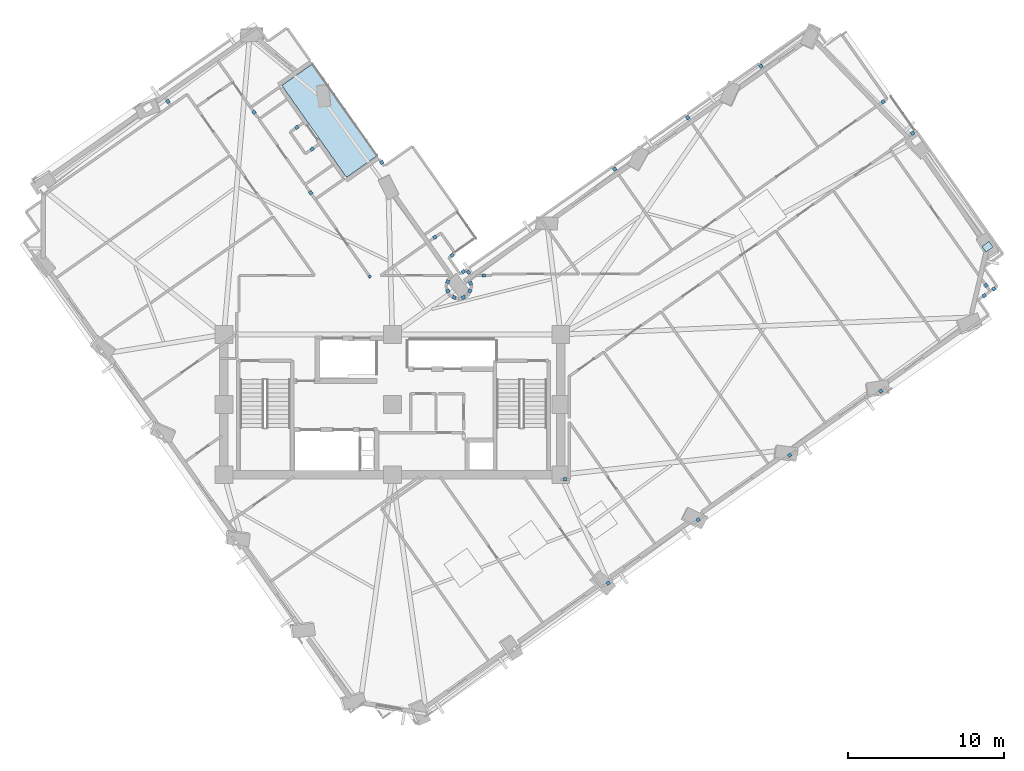
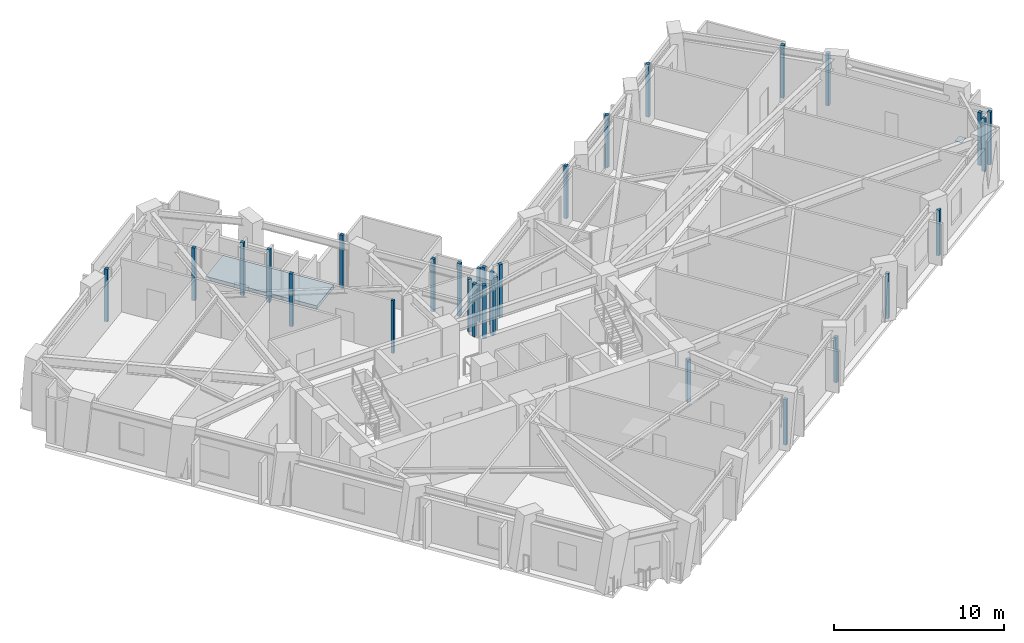
# One storey, part 3 of 13: 32 plates, 1 slab.
"""IFC4 building model written with IfcOpenShell, lengths in metres."""

import ifcopenshell
import ifcopenshell.guid

model = None  # the IFC model being written
_history = None  # IfcOwnerHistory: only IFC2X3 demands one
_inside = {}  # id of a spatial element -> (the spatial element, [elements in it])
_under = {}  # id of a project, library or spatial element -> (it, [spatial elements below it])
_declared = {}  # id of a project -> (the project, [libraries it declares])
_typed = {}  # id of a type object -> (the type object, [elements of that type])
_made_of = {}  # id of a material, layer set ... -> (it, [elements and type objects made of it])


def new_model(schema):
    """Start an empty IFC model of exactly this schema.

    Asked for "IFC4X3", IfcOpenShell would pick the latest addendum, in which some entities
    have other attributes; the version numbers below select the first issue.
    IFC2X3 requires an IfcOwnerHistory on every rooted entity: one is made here for all.
    """
    global model, _history
    if schema == "IFC4X3":
        model = ifcopenshell.file(schema_version=(4, 3, 0, 0))
    else:
        model = ifcopenshell.file(schema=schema)
    _inside.clear()
    _under.clear()
    _declared.clear()
    _typed.clear()
    _made_of.clear()
    _history = None
    if model.schema == "IFC2X3":
        org = make("IfcOrganization", Name="unknown")
        user = make(
            "IfcPersonAndOrganization",
            ThePerson=make("IfcPerson", FamilyName="unknown"),
            TheOrganization=org,
        )
        app = make(
            "IfcApplication",
            ApplicationDeveloper=org,
            Version="unknown",
            ApplicationFullName="unknown",
            ApplicationIdentifier="unknown",
        )
        _history = make(
            "IfcOwnerHistory",
            OwningUser=user,
            OwningApplication=app,
            ChangeAction="ADDED",
            CreationDate=0,
        )
    return model


def make(cls, **values):
    """One entity of the class cls with the attributes given. An attribute that is None is left unset."""
    return model.create_entity(
        cls, **{name: value for name, value in values.items() if value is not None}
    )


def rooted(cls, **values):
    """An entity with a GlobalId (a new one), such as an element, a storey or a relation."""
    return make(cls, GlobalId=ifcopenshell.guid.new(), OwnerHistory=_history, **values)


def si_unit(unit_type, name, prefix=None):
    """IfcSIUnit, for example si_unit("LENGTHUNIT", "METRE", prefix="MILLI")."""
    return make("IfcSIUnit", UnitType=unit_type, Prefix=prefix, Name=name)


def assignment(units):
    """IfcUnitAssignment: the units of a project."""
    return None if units is None else make("IfcUnitAssignment", Units=units)


def point(xyz):
    """IfcCartesianPoint."""
    return None if xyz is None else make("IfcCartesianPoint", Coordinates=xyz)


def direction(xyz):
    """IfcDirection."""
    return None if xyz is None else make("IfcDirection", DirectionRatios=xyz)


def frame(location, z_axis=None, x_axis=None):
    """IfcAxis2Placement3D, a coordinate frame: its origin and axes. An axis left out is left unset."""
    return make(
        "IfcAxis2Placement3D",
        Location=point(location),
        Axis=direction(z_axis),
        RefDirection=direction(x_axis),
    )


def frame_2d(location, x_axis=None):
    """IfcAxis2Placement2D, a coordinate frame in the plane: its origin and x axis."""
    return make(
        "IfcAxis2Placement2D", Location=point(location), RefDirection=direction(x_axis)
    )


def origin():
    """The frame at (0, 0, 0) with its axes left unset."""
    return frame((0.0, 0.0, 0.0))


def origin_2d():
    """The frame at (0, 0) in the plane with its x axis left unset."""
    return frame_2d((0.0, 0.0))


def place(relative_to, where):
    """IfcLocalPlacement: puts the frame where relative to a parent placement (None: the world)."""
    return make(
        "IfcLocalPlacement", PlacementRelTo=relative_to, RelativePlacement=where
    )


def context(
    kind, dimensions, precision=None, world=None, true_north=None, identifier=None
):
    """IfcGeometricRepresentationContext, for example the 3D "Model" context."""
    return make(
        "IfcGeometricRepresentationContext",
        ContextIdentifier=identifier,
        ContextType=kind,
        CoordinateSpaceDimension=dimensions,
        Precision=precision,
        WorldCoordinateSystem=world,
        TrueNorth=true_north,
    )


def subcontext(parent, identifier, kind, view, scale=None):
    """IfcGeometricRepresentationSubContext, for example "Body" below "Model"."""
    return make(
        "IfcGeometricRepresentationSubContext",
        ContextIdentifier=identifier,
        ContextType=kind,
        ParentContext=parent,
        TargetScale=scale,
        TargetView=view,
    )


def project(units=None, contexts=None):
    """IfcProject with its units and contexts."""
    return rooted(
        "IfcProject",
        Name="project",
        RepresentationContexts=contexts,
        UnitsInContext=assignment(units),
    )


def spatial(cls, under=None, at=None, **own):
    """A site, building, storey or space (cls), placed at a placement, below another one or the project."""
    s = rooted(cls, ObjectPlacement=at, **own)
    if under is not None:
        _under.setdefault(under.id(), (under, []))[1].append(s)
    return s


def polyline(points):
    """IfcPolyline through the points."""
    return make("IfcPolyline", Points=[point(p) for p in points])


def profile(cls, at=None, kind="AREA", **sizes):
    """A parametric profile (cls). Its sizes go by their IFC names, for example OverallWidth=200.0."""
    return make(cls, ProfileType=kind, Position=at, **sizes)


def rectangle(**sizes):
    """IfcRectangleProfileDef."""
    return profile("IfcRectangleProfileDef", **sizes)


def outline(outer, holes=None, kind="AREA"):
    """IfcArbitraryClosedProfileDef: a profile drawn as a closed curve; with holes, ...WithVoids."""
    if holes is None:
        return make("IfcArbitraryClosedProfileDef", ProfileType=kind, OuterCurve=outer)
    return make(
        "IfcArbitraryProfileDefWithVoids",
        ProfileType=kind,
        OuterCurve=outer,
        InnerCurves=holes,
    )


def extrude(swept, where, along, depth):
    """IfcExtrudedAreaSolid: the profile swept, set in the frame where, extruded along a direction by depth."""
    return make(
        "IfcExtrudedAreaSolid",
        SweptArea=swept,
        Position=where,
        ExtrudedDirection=direction(along),
        Depth=depth,
    )


def shape(context_of_items, identifier, shape_type, items):
    """IfcShapeRepresentation: the items that make up one representation, for example the "Body"."""
    return make(
        "IfcShapeRepresentation",
        ContextOfItems=context_of_items,
        RepresentationIdentifier=identifier,
        RepresentationType=shape_type,
        Items=items,
    )


def material(Name=None, Category=None):
    """IfcMaterial."""
    return make("IfcMaterial", Name=Name, Category=Category)


def layer(
    of_material, thickness, ventilated=None, Name=None, Category=None, Priority=None
):
    """IfcMaterialLayer: one layer of a wall or slab, of a material (None: an air gap)."""
    return make(
        "IfcMaterialLayer",
        Material=of_material,
        LayerThickness=thickness,
        IsVentilated=ventilated,
        Name=Name,
        Category=Category,
        Priority=Priority,
    )


def layer_set(layers, Name=None):
    """IfcMaterialLayerSet."""
    return make("IfcMaterialLayerSet", MaterialLayers=layers, LayerSetName=Name)


def made_of(thing, what):
    """Note that an element or type object is made of a material, layer set ...; save() writes the relation."""
    if what is not None:
        _made_of.setdefault(what.id(), (what, []))[1].append(thing)
    return thing


def type_object(cls, material=None, **own):
    """A type object (cls), such as IfcWallType, which elements share."""
    return made_of(rooted(cls, **own), material)


def element(
    cls,
    number,
    at=None,
    inside=None,
    cuts=None,
    type_object=None,
    material=None,
    context=None,
    identifier="Body",
    shape_type=None,
    held_by="IfcProductDefinitionShape",
    body=None,
    shapes=None,
    **own,
):
    """One element of the class cls, such as IfcWall. Its Tag is "e" and its number.

    at: its placement. inside: the storey or other place that contains it. cuts: it is an
    opening in that element (IfcRelVoidsElement). A single representation is given by context,
    identifier, shape_type and body (its items); several are given by shapes. held_by: the class
    of the entity that holds the representations. save() writes the other relations.
    """
    e = rooted(cls, Tag="e%d" % number, ObjectPlacement=at, **own)
    if body is not None:
        shapes = [shape(context, identifier, shape_type, body)]
    if shapes is not None:
        e.Representation = make(held_by, Representations=shapes)
    if inside is not None:
        _inside.setdefault(inside.id(), (inside, []))[1].append(e)
    if cuts is not None:
        rooted(
            "IfcRelVoidsElement", RelatingBuildingElement=cuts, RelatedOpeningElement=e
        )
    if type_object is not None:
        _typed.setdefault(type_object.id(), (type_object, []))[1].append(e)
    return made_of(e, material)


def aggregate(whole, parts):
    """IfcRelAggregates: a whole, such as a stair, and the parts it consists of."""
    return rooted("IfcRelAggregates", RelatingObject=whole, RelatedObjects=parts)


def save(model, path):
    """Write the relations noted so far, then the file.

    IfcRelAggregates (storeys below a building ...), IfcRelContainedInSpatialStructure (elements
    in a storey), IfcRelDefinesByType, IfcRelAssociatesMaterial and IfcRelDeclares: one each for
    every whole, place, type object, material and project.
    """
    for whole, parts in _under.values():
        aggregate(whole, parts)
    for where, things in _inside.values():
        rooted(
            "IfcRelContainedInSpatialStructure",
            RelatedElements=things,
            RelatingStructure=where,
        )
    for kind, things in _typed.values():
        rooted("IfcRelDefinesByType", RelatedObjects=things, RelatingType=kind)
    for what, things in _made_of.values():
        rooted("IfcRelAssociatesMaterial", RelatedObjects=things, RelatingMaterial=what)
    for by, libraries in _declared.values():
        rooted("IfcRelDeclares", RelatingContext=by, RelatedDefinitions=libraries)
    model.write(path)


model = new_model("IFC4")

# Units and contexts
model_context = context("Model", 3, precision=1e-05, world=origin(), true_north=direction((0.0, 1.0)))
body_context = subcontext(model_context, "Body", "Model", "MODEL_VIEW")
ifc_project = project(units=[si_unit("LENGTHUNIT", "METRE"), si_unit("AREAUNIT", "SQUARE_METRE"), si_unit("VOLUMEUNIT", "CUBIC_METRE"), si_unit("PLANEANGLEUNIT", "RADIAN"), si_unit("MASSUNIT", "GRAM", prefix="KILO")], contexts=[model_context])

# Site, building, storey
site_placement = place(None, origin())
site = spatial("IfcSite", under=ifc_project, at=site_placement, CompositionType="ELEMENT")
building_placement = place(site_placement, origin())
building = spatial("IfcBuilding", under=site, at=building_placement, Name="Gaonmaruhae Medical Tower", CompositionType="ELEMENT")
storey_placement = place(building_placement, frame((0.0, 0.0, 173.800048828125)))
storey = spatial("IfcBuildingStorey", under=building, at=storey_placement, Name="L41", CompositionType="ELEMENT", Elevation=173.800048828125)

# Plates
ifc_material_1 = material(Name="Steel HSA650 (650 MPa)", Category="steel")
ifc_layer_1 = layer(ifc_material_1, 0.028076171875)
ifc_layer_set_1 = layer_set([ifc_layer_1], Name="Steel HSA650 (650 MPa)")
plate_type_1 = type_object("IfcPlateType", Name="GP-02 Tube Brace End Cap Gusset Plate", PredefinedType="USERDEFINED", material=ifc_layer_set_1)
plate_1_placement = place(storey_placement, frame((62.971923828125, 22.427490234375, 0.23583984375), z_axis=(0.0, 0.0, 1.0), x_axis=(0.817647619217, 0.575719003324, 0.0)))
element("IfcPlate", 1, at=plate_1_placement, inside=storey, type_object=plate_type_1, Name="L41 Gusset Cap Plate PLT-L41-PBR-E01A", ObjectType="GUSSET_PLATE", PredefinedType="USERDEFINED", context=body_context, shape_type="SweptSolid", body=[
    extrude(rectangle(XDim=0.56005859375, YDim=0.43994140625, at=origin_2d()), origin(), (0.0, 0.0, 1.0), 0.028076171875),
])
ifc_material_2 = material(Name="Anodised aluminium 6063-T6", Category="aluminium")
ifc_layer_2 = layer(ifc_material_2, 0.011962890625)
ifc_layer_set_2 = layer_set([ifc_layer_2], Name="Anodised aluminium 6063-T6")
plate_type_2 = type_object("IfcPlateType", Name="PP-01 Interior Partition Corner Stiffener Plate", PredefinedType="SHEET", material=ifc_layer_set_2)
plate_2_placement = place(storey_placement, frame((23.34814453125, 20.5146484375, 0.0), z_axis=(0.0, 0.0, 1.0), x_axis=(-0.575776084493, 0.817607424456, 0.0)))
element("IfcPlate", 2, at=plate_2_placement, inside=storey, type_object=plate_type_2, Name="L41 Partition End Jamb Post Plate PLT-L41-ENDP-PW097-0", PredefinedType="SHEET", context=body_context, shape_type="SweptSolid", body=[
    extrude(rectangle(XDim=0.179931640625, YDim=0.179931640625, at=origin_2d()), origin(), (0.0, 0.0, 1.0), 3.780029296875),
])
plate_3_placement = place(storey_placement, frame((38.6416015625, 0.85595703125, 0.0), z_axis=(0.0, 0.0, 1.0), x_axis=(-0.817627522335, -0.575747544259, 0.0)))
element("IfcPlate", 3, at=plate_3_placement, inside=storey, type_object=plate_type_2, Name="L41 Partition Corner Stiffener Plate PLT-L41-JGP-PW014", PredefinedType="SHEET", context=body_context, shape_type="SweptSolid", body=[
    extrude(rectangle(XDim=0.219970703125, YDim=0.219970703125, at=origin_2d()), origin(), (0.0, 0.0, 1.0), 3.264892578125),
])
plate_4_placement = place(storey_placement, frame((35.875, 7.5, 0.0), z_axis=(0.0, 0.0, 1.0), x_axis=(1.0, 0.0, 0.0)))
element("IfcPlate", 4, at=plate_4_placement, inside=storey, type_object=plate_type_2, Name="L41 Partition Corner Stiffener Plate PLT-L41-JGP-PW015", PredefinedType="SHEET", context=body_context, shape_type="SweptSolid", body=[
    extrude(rectangle(XDim=0.219970703125, YDim=0.219970703125, at=origin_2d()), origin(), (0.0, 0.0, 1.0), 3.06494140625),
])
for number, where, z_axis, x_axis, name in (
    (5, (44.403564453125, 4.91357421875, 0.0), (0.0, 0.0, 1.0), (-0.817667715103, -0.575690461687, 0.0), "L41 Partition Corner Stiffener Plate PLT-L41-JGP-PW018"),
    (6, (50.29052734375, 9.05859375, 0.0), (0.0, 0.0, 1.0), (-0.817948952887, -0.575290805133, 0.0), "L41 Partition Corner Stiffener Plate PLT-L41-JGP-PW025"),
    (7, (56.12353515625, 13.16650390625, 0.0), (0.0, 0.0, 1.0), (-0.817727996784, -0.575604832568, 0.0), "L41 Partition Corner Stiffener Plate PLT-L41-JGP-PW028"),
):
    element("IfcPlate", number, at=place(storey_placement, frame(where, z_axis=z_axis, x_axis=x_axis)), inside=storey, type_object=plate_type_2, Name=name, PredefinedType="SHEET", context=body_context, shape_type="SweptSolid", body=[
        extrude(rectangle(XDim=0.219970703125, YDim=0.219970703125, at=origin_2d()), origin(), (0.0, 0.0, 1.0), 3.264892578125),
    ])
for number, where, z_axis, x_axis, name in (
    (8, (62.87109375, 19.948486328125, 0.0), (0.0, 0.0, 1.0), (0.575619104526, -0.81771795046, 0.0), "L41 Partition Corner Stiffener Plate PLT-L41-JGP-PW034"),
    (9, (62.763427734375, 19.284423828125, 0.0), (0.0, 0.0, 1.0), (-0.817878661752, -0.575390732156, 0.0), "L41 Partition Corner Stiffener Plate PLT-L41-JGP-PW035"),
    (10, (29.35498046875, 20.8330078125, 0.0), (0.0, 0.0, 1.0), (0.817305836741, 0.576204103794, 0.0), "L41 Partition Corner Stiffener Plate PLT-L41-JGP-PW059"),
    (11, (29.680419921875, 20.7958984375, 0.0), (0.0, 0.0, 1.0), (0.576232632799, -0.817285722926, 0.0), "L41 Partition Corner Stiffener Plate PLT-L41-JGP-PW060"),
    (12, (29.81396484375, 20.08642578125, 0.0), (0.0, 0.0, 1.0), (0.381796395501, -0.924246456516, 0.0), "L41 Partition Corner Stiffener Plate PLT-L41-JGP-PW061"),
    (13, (29.77392578125, 19.593017578125, 0.0), (0.0, 0.0, 1.0), (-0.382167381036, -0.924093119157, 0.0), "L41 Partition Corner Stiffener Plate PLT-L41-JGP-PW062"),
):
    element("IfcPlate", number, at=place(storey_placement, frame(where, z_axis=z_axis, x_axis=x_axis)), inside=storey, type_object=plate_type_2, Name=name, PredefinedType="SHEET", context=body_context, shape_type="SweptSolid", body=[
        extrude(rectangle(XDim=0.219970703125, YDim=0.219970703125, at=origin_2d()), origin(), (0.0, 0.0, 1.0), 3.780029296875),
    ])
plate_5_placement = place(storey_placement, frame((29.35693359375, 19.176025390625, 0.0), z_axis=(0.0, 0.0, 1.0), x_axis=(-0.924093119157, -0.382167381036, 0.0)))
element("IfcPlate", 14, at=plate_5_placement, inside=storey, type_object=plate_type_2, Name="L41 Partition Corner Stiffener Plate PLT-L41-JGP-PW063", PredefinedType="SHEET", context=body_context, shape_type="SweptSolid", body=[
    extrude(rectangle(XDim=0.219970703125, YDim=0.219970703125, at=origin_2d()), origin(), (0.0, 0.0, 1.0), 3.4150390625),
])
for number, where, z_axis, x_axis, name in (
    (15, (28.767578125, 19.176025390625, 0.0), (0.0, 0.0, 1.0), (-0.923866173777, 0.382715681611, 0.0), "L41 Partition Corner Stiffener Plate PLT-L41-JGP-PW064"),
    (16, (28.35107421875, 19.593017578125, 0.0), (0.0, 0.0, 1.0), (-0.382167381036, 0.924093119157, 0.0), "L41 Partition Corner Stiffener Plate PLT-L41-JGP-PW065"),
    (17, (28.35107421875, 20.1826171875, 0.0), (0.0, 0.0, 1.0), (0.382715681611, 0.923866173777, 0.0), "L41 Partition Corner Stiffener Plate PLT-L41-JGP-PW066"),
    (18, (27.53662109375, 23.03759765625, 0.0), (0.0, 0.0, 1.0), (0.817657667285, 0.575704732593, 0.0), "L41 Partition Corner Stiffener Plate PLT-L41-JGP-PW069"),
    (19, (28.62890625, 21.864013671875, 0.0), (0.0, 0.0, 1.0), (-0.817305836741, -0.576204103794, 0.0), "L41 Partition Corner Stiffener Plate PLT-L41-JGP-PW071"),
    (20, (30.660400390625, 20.580078125, 0.0), (0.0, 0.0, 1.0), (-1.0, 0.0, 0.0), "L41 Partition Corner Stiffener Plate PLT-L41-JGP-PW073"),
    (21, (39.06298828125, 27.402099609375, 0.0), (0.0, 0.0, 1.0), (0.574691062724, -0.818370443275, 0.0), "L41 Partition Corner Stiffener Plate PLT-L41-JGP-PW078"),
    (22, (43.75390625, 30.705078125, 0.0), (0.0, 0.0, 1.0), (0.574691062724, -0.818370443275, 0.0), "L41 Partition Corner Stiffener Plate PLT-L41-JGP-PW084"),
    (23, (48.445068359375, 34.008056640625, 0.0), (0.0, 0.0, 1.0), (0.574691062724, -0.818370443275, 0.0), "L41 Partition Corner Stiffener Plate PLT-L41-JGP-PW088"),
    (24, (56.2685546875, 31.722900390625, 0.0), (0.0, 0.0, 1.0), (-0.817838489908, -0.575447829456, 0.0), "L41 Partition Corner Stiffener Plate PLT-L41-JGP-PW092"),
    (25, (24.12451171875, 27.83642578125, 0.0), (0.0, 0.0, 1.0), (0.575761814464, -0.81761747352, 0.0), "L41 Partition Corner Stiffener Plate PLT-L41-JGP-PW099"),
    (26, (18.675048828125, 30.08154296875, 0.0), (0.0, 0.0, 1.0), (-0.817627522335, -0.575747544259, 0.0), "L41 Partition Corner Stiffener Plate PLT-L41-JGP-PW101"),
    (27, (19.654052734375, 28.69189453125, 0.0), (0.0, 0.0, 1.0), (0.81717507914, 0.576389529773, 0.0), "L41 Partition Corner Stiffener Plate PLT-L41-JGP-PW103"),
    (28, (10.405029296875, 31.739501953125, 0.0), (0.0, 0.0, 1.0), (-0.575533470147, 0.817778224668, 0.0), "L41 Partition Corner Stiffener Plate PLT-L41-JGP-PW113"),
    (29, (15.926513671875, 31.051025390625, 0.0), (0.0, 0.0, 1.0), (0.579124668365, -0.815238994707, 0.0), "L41 Partition Corner Stiffener Plate PLT-L41-JGP-PW115"),
    (30, (19.56005859375, 25.8916015625, 0.0), (0.0, 0.0, 1.0), (0.573390561885, -0.819282163568, 0.0), "L41 Partition Corner Stiffener Plate PLT-L41-JGP-PW116"),
    (31, (63.385009765625, 19.721435546875, 0.0), (0.0, 0.0, 1.0), (-0.817838489908, -0.575447829456, 0.0), "L41 Partition Corner Stiffener Plate PLT-L41-JGP-PW121"),
    (32, (58.16552734375, 29.70849609375, 0.0), (0.0, 0.0, 1.0), (0.818169788396, 0.57497669288, 0.0), "L41 Partition Corner Stiffener Plate PLT-L41-JGP-PW123"),
):
    element("IfcPlate", number, at=place(storey_placement, frame(where, z_axis=z_axis, x_axis=x_axis)), inside=storey, type_object=plate_type_2, Name=name, PredefinedType="SHEET", context=body_context, shape_type="SweptSolid", body=[
        extrude(rectangle(XDim=0.219970703125, YDim=0.219970703125, at=origin_2d()), origin(), (0.0, 0.0, 1.0), 3.780029296875),
    ])

# Slab
ifc_material_3 = material(Name="Concrete C40/50", Category="concrete")
ifc_layer_3 = layer(ifc_material_3, 0.239990234375)
ifc_layer_set_3 = layer_set([ifc_layer_3], Name="Concrete C40/50")
slab_type = type_object("IfcSlabType", Name="TS-240 Sky Garden & Recovery Terrace Slab", PredefinedType="FLOOR", material=ifc_layer_set_3)
slab_placement = place(storey_placement, frame((0.0, 0.0, -0.239990234375)))
element("IfcSlab", 33, at=slab_placement, inside=storey, type_object=slab_type, Name="L41 Outdoor Recovery Terrace Slab", PredefinedType="FLOOR", context=body_context, shape_type="SweptSolid", body=[
    extrude(outline(polyline([(21.860595703125, 26.882080078125), (23.822998046875, 28.263916015625), (19.677734375, 34.15087890625), (17.71533203125, 32.76904296875), (21.860595703125, 26.882080078125)])), origin(), (0.0, 0.0, 1.0), 0.239990234375),
])

save(model, "model.ifc")
